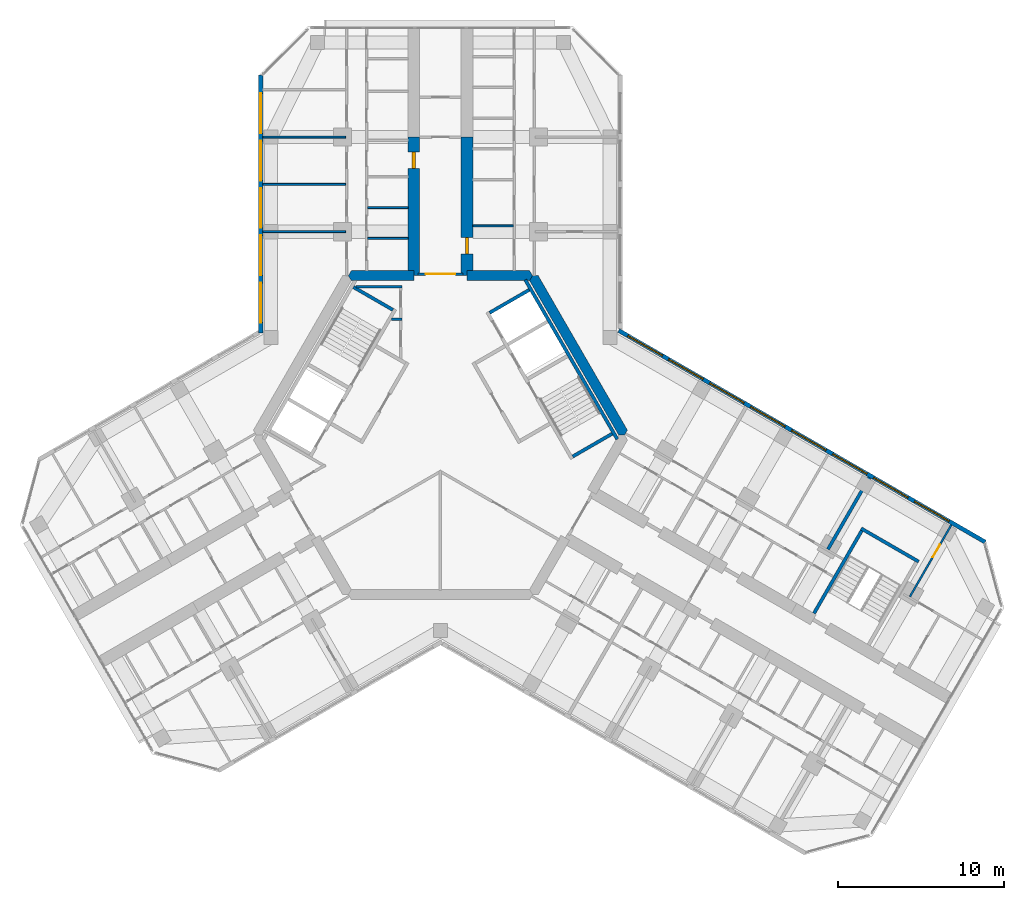
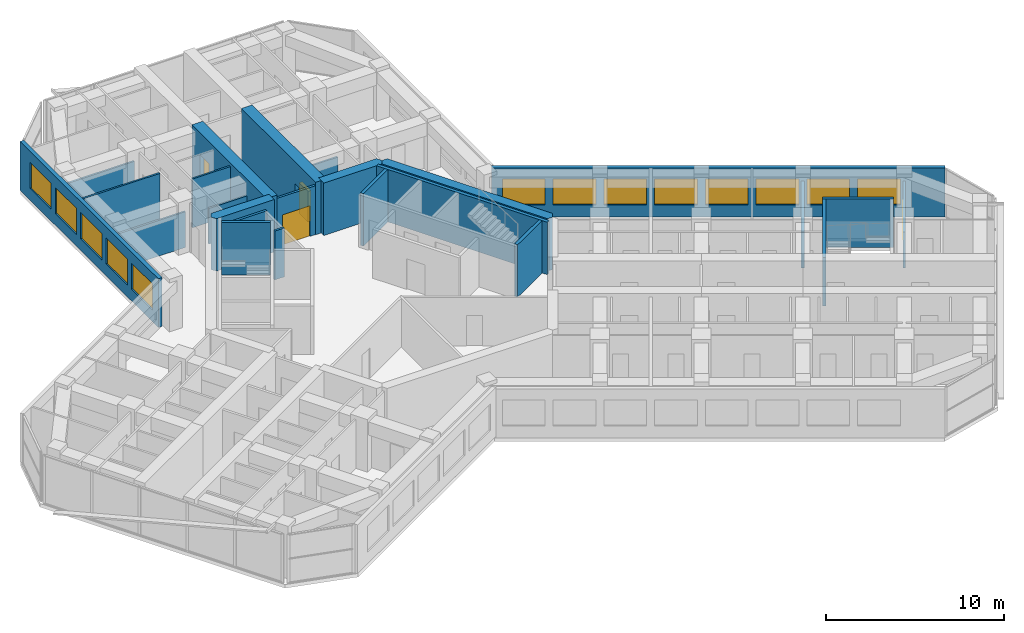
# One storey, part 13 of 16: 24 walls, 13 windows, 4 doors, 17 openings.
"""IFC4 building model written with IfcOpenShell, lengths in metres."""

from ifc_helpers import new_model, si_unit, direction, frame, frame_2d, origin, place, context, subcontext, project, spatial, polyline, rectangle, outline, extrude, material, layer, layer_set, type_object, element, fill, save


model = new_model("IFC4")

# Units and contexts
model_context = context("Model", 3, precision=1e-05, world=origin(), true_north=direction((0.0, 1.0)))
body_context = subcontext(model_context, "Body", "Model", "MODEL_VIEW")
ifc_project = project(units=[si_unit("LENGTHUNIT", "METRE"), si_unit("AREAUNIT", "SQUARE_METRE"), si_unit("VOLUMEUNIT", "CUBIC_METRE"), si_unit("PLANEANGLEUNIT", "RADIAN"), si_unit("MASSUNIT", "GRAM", prefix="KILO")], contexts=[model_context])

# Site, building, storey
site_placement = place(None, origin())
site = spatial("IfcSite", under=ifc_project, at=site_placement, CompositionType="ELEMENT")
building_placement = place(site_placement, origin())
building = spatial("IfcBuilding", under=site, at=building_placement, Name="Kosmar Iwan School Tower", CompositionType="ELEMENT")
storey_placement = place(building_placement, frame((0.0, 0.0, 246.0)))
storey = spatial("IfcBuildingStorey", under=building, at=storey_placement, Name="L62", CompositionType="ELEMENT", Elevation=246.0)

# Walls
ifc_material_1 = material(Name="Gypsum board on steel studs, fire-rated", Category="steel")
ifc_layer_1 = layer(ifc_material_1, 0.14990234375)
ifc_layer_set_1 = layer_set([ifc_layer_1], Name="Core room partition 150")
wall_type_1 = type_object("IfcWallType", Name="Core room partition 150", PredefinedType="PARTITIONING", material=ifc_layer_set_1)
wall_1_placement = place(storey_placement, frame((-2.324951171875, 6.985107421875, 0.0), z_axis=(0.0, 0.0, 1.0), x_axis=(-1.0, 0.0, 0.0)))
element("IfcWall", 1, at=wall_1_placement, inside=storey, type_object=wall_type_1, Name="Core room partition L62-CW2", PredefinedType="PARTITIONING", context=body_context, shape_type="SweptSolid", body=[
    extrude(rectangle(XDim=0.623779296875, YDim=0.14990234375, at=frame_2d((0.31201171875, 0.0))), origin(), (0.0, 0.0, 1.0), 3.35009765625),
])
wall_2_placement = place(storey_placement, frame((-5.089599609375, 8.93994140625, 0.0), z_axis=(0.0, 0.0, 1.0), x_axis=(1.0, 0.0, 0.0)))
element("IfcWall", 2, at=wall_2_placement, inside=storey, type_object=wall_type_1, Name="Core room partition L62-CW3", PredefinedType="PARTITIONING", context=body_context, shape_type="SweptSolid", body=[
    extrude(rectangle(XDim=2.7646484375, YDim=0.14990234375, at=frame_2d((1.38232421875, 0.0))), origin(), (0.0, 0.0, 1.0), 3.35009765625),
])
ifc_material_2 = material(Name="Concrete C50/60", Category="concrete")
ifc_layer_2 = layer(ifc_material_2, 0.60009765625)
ifc_layer_set_2 = layer_set([ifc_layer_2], Name="Core wall 600")
wall_type_2 = type_object("IfcWallType", Name="Core wall 600", PredefinedType="SHEAR", material=ifc_layer_set_2)
wall_3_placement = place(storey_placement, origin())
element("IfcWall", 3, at=wall_3_placement, inside=storey, type_object=wall_type_2, Name="Core wall F030", PredefinedType="SHEAR", context=body_context, shape_type="SweptSolid", body=[
    extrude(outline(polyline([(10.73876953125, 0.0), (11.085205078125, 0.0), (11.25830078125, 0.300048828125), (5.888916015625, 9.60009765625), (5.54248046875, 9.60009765625), (5.369384765625, 9.300048828125), (10.73876953125, 0.0)])), origin(), (0.0, 0.0, 1.0), 3.60009765625),
])
wall_4_placement = place(storey_placement, origin())
element("IfcWall", 4, at=wall_4_placement, inside=storey, type_object=wall_type_2, Name="Core wall F090a", PredefinedType="SHEAR", context=body_context, shape_type="SweptSolid", body=[
    extrude(outline(polyline([(1.60009765625, 9.300048828125), (5.369384765625, 9.300048828125), (5.54248046875, 9.60009765625), (5.369384765625, 9.89990234375), (1.60009765625, 9.89990234375), (1.60009765625, 9.300048828125)])), origin(), (0.0, 0.0, 1.0), 3.60009765625),
])
wall_5_placement = place(storey_placement, origin())
element("IfcWall", 5, at=wall_5_placement, inside=storey, type_object=wall_type_2, Name="Core wall F090b", PredefinedType="SHEAR", context=body_context, shape_type="SweptSolid", body=[
    extrude(outline(polyline([(-5.369384765625, 9.300048828125), (-1.60009765625, 9.300048828125), (-1.60009765625, 9.89990234375), (-5.369384765625, 9.89990234375), (-5.54248046875, 9.60009765625), (-5.369384765625, 9.300048828125)])), origin(), (0.0, 0.0, 1.0), 3.60009765625),
])

# Wall, opening, door
ifc_material_3 = material(Name="Concrete C50/60", Category="concrete")
ifc_layer_3 = layer(ifc_material_3, 0.699951171875)
ifc_layer_set_3 = layer_set([ifc_layer_3], Name="Corridor buttress wall 700")
wall_type_3 = type_object("IfcWallType", Name="Corridor buttress wall 700", PredefinedType="SHEAR", material=ifc_layer_set_3)
wall_6_placement = place(storey_placement, frame((-1.60009765625, 9.60009765625, 0.0), z_axis=(0.0, 0.0, 1.0), x_axis=(0.0, 1.0, 0.0)))
wall_6 = element("IfcWall", 6, at=wall_6_placement, inside=storey, type_object=wall_type_3, Name="Corridor wall AL", PredefinedType="SHEAR", context=body_context, shape_type="SweptSolid", body=[
    extrude(rectangle(XDim=8.349853515625, YDim=0.699951171875, at=frame_2d((4.1748046875, 0.0))), origin(), (0.0, 0.0, 1.0), 3.60009765625),
])
opening_1_placement = place(wall_6_placement, frame((6.449951171875, 0.0, 0.0)))
opening_1 = element("IfcOpeningElement", 7, at=opening_1_placement, cuts=wall_6, Name="Opening D1", PredefinedType="OPENING", context=body_context, shape_type="SweptSolid", body=[
    extrude(rectangle(XDim=1.0, YDim=2.10009765625, at=frame_2d((0.5, 1.050048828125))), frame((0.0, 0.362060546875, 0.0), z_axis=(0.0, -1.0, 0.0), x_axis=(1.0, 0.0, 0.0)), (0.0, 0.0, 1.0), 0.723876953125),
])
ifc_material_4 = material(Name="Timber fire door in steel frame", Category="steel")
door_type_1 = type_object("IfcDoorType", Name="Flat entrance door 1000x2100", OperationType="SINGLE_SWING_LEFT", PredefinedType="DOOR", material=ifc_material_4)
door_1_placement = place(opening_1_placement, origin())
door_1 = element("IfcDoor", 8, at=door_1_placement, inside=storey, type_object=door_type_1, Name="Flat L62-AL1 entrance door", OperationType="SINGLE_SWING_LEFT", OverallHeight=2.10009765625, OverallWidth=1.0, PredefinedType="DOOR", context=body_context, shape_type="SweptSolid", body=[
    extrude(rectangle(XDim=1.0, YDim=2.10009765625, at=frame_2d((0.5, 1.050048828125))), frame((0.0, 0.10009765625, 0.0), z_axis=(0.0, -1.0, 0.0), x_axis=(1.0, 0.0, 0.0)), (0.0, 0.0, 1.0), 0.199951171875),
])
fill(opening_1, door_1)

wall_7_placement = place(storey_placement, frame((1.60009765625, 9.60009765625, 0.0), z_axis=(0.0, 0.0, 1.0), x_axis=(0.0, 1.0, 0.0)))
wall_7 = element("IfcWall", 9, at=wall_7_placement, inside=storey, type_object=wall_type_3, Name="Corridor wall AR", PredefinedType="SHEAR", context=body_context, shape_type="SweptSolid", body=[
    extrude(rectangle(XDim=8.349853515625, YDim=0.699951171875, at=frame_2d((4.1748046875, 0.0))), origin(), (0.0, 0.0, 1.0), 3.60009765625),
])
opening_2_placement = place(wall_7_placement, frame((1.300048828125, 0.0, 0.0)))
opening_2 = element("IfcOpeningElement", 10, at=opening_2_placement, cuts=wall_7, Name="Opening D1", PredefinedType="OPENING", context=body_context, shape_type="SweptSolid", body=[
    extrude(rectangle(XDim=1.0, YDim=2.10009765625, at=frame_2d((0.5, 1.050048828125))), frame((0.0, 0.362060546875, 0.0), z_axis=(0.0, -1.0, 0.0), x_axis=(1.0, 0.0, 0.0)), (0.0, 0.0, 1.0), 0.723876953125),
])
door_2_placement = place(opening_2_placement, origin())
door_2 = element("IfcDoor", 11, at=door_2_placement, inside=storey, type_object=door_type_1, Name="Flat L62-AR1 entrance door", OperationType="SINGLE_SWING_LEFT", OverallHeight=2.10009765625, OverallWidth=1.0, PredefinedType="DOOR", context=body_context, shape_type="SweptSolid", body=[
    extrude(rectangle(XDim=1.0, YDim=2.10009765625, at=frame_2d((0.5, 1.050048828125))), frame((0.0, 0.10009765625, 0.0), z_axis=(0.0, -1.0, 0.0), x_axis=(1.0, 0.0, 0.0)), (0.0, 0.0, 1.0), 0.199951171875),
])
fill(opening_2, door_2)

ifc_material_5 = material(Name="Steel framed glazed screen", Category="steel")
ifc_layer_4 = layer(ifc_material_5, 0.14990234375)
ifc_layer_set_4 = layer_set([ifc_layer_4], Name="Corridor screen wall 150")
wall_type_4 = type_object("IfcWallType", Name="Corridor screen wall 150", PredefinedType="PARTITIONING", material=ifc_layer_set_4)
wall_8_placement = place(storey_placement, frame((1.35009765625, 9.699951171875, 0.0), z_axis=(0.0, 0.0, 1.0), x_axis=(-1.0, 0.0, 0.0)))
wall_8 = element("IfcWall", 12, at=wall_8_placement, inside=storey, type_object=wall_type_4, Name="Corridor screen A L62", PredefinedType="PARTITIONING", context=body_context, shape_type="SweptSolid", body=[
    extrude(rectangle(XDim=2.7001953125, YDim=0.14990234375, at=frame_2d((1.35009765625, 0.0))), origin(), (0.0, 0.0, 1.0), 3.35009765625),
])
opening_3_placement = place(wall_8_placement, frame((0.449951171875, 0.0, 0.0)))
opening_3 = element("IfcOpeningElement", 13, at=opening_3_placement, cuts=wall_8, Name="Opening D9", PredefinedType="OPENING", context=body_context, shape_type="SweptSolid", body=[
    extrude(rectangle(XDim=1.800048828125, YDim=2.10009765625, at=frame_2d((0.89990234375, 1.050048828125))), frame((0.0, 0.0869140625, 0.0), z_axis=(0.0, -1.0, 0.0), x_axis=(1.0, 0.0, 0.0)), (0.0, 0.0, 1.0), 0.173828125),
])
ifc_material_6 = material(Name="Steel framed glazed smoke door", Category="steel")
door_type_2 = type_object("IfcDoorType", Name="Corridor smoke door pair 1800x2100", OperationType="DOUBLE_DOOR_DOUBLE_SWING", PredefinedType="DOOR", material=ifc_material_6)
door_3_placement = place(opening_3_placement, origin())
door_3 = element("IfcDoor", 14, at=door_3_placement, inside=storey, type_object=door_type_2, Name="Corridor doors A L62", OperationType="DOUBLE_DOOR_DOUBLE_SWING", OverallHeight=2.10009765625, OverallWidth=1.800048828125, PredefinedType="DOOR", context=body_context, shape_type="SweptSolid", body=[
    extrude(rectangle(XDim=1.800048828125, YDim=2.10009765625, at=frame_2d((0.89990234375, 1.050048828125))), frame((0.0, 0.02490234375, 0.0), z_axis=(0.0, -1.0, 0.0), x_axis=(1.0, 0.0, 0.0)), (0.0, 0.0, 1.0), 0.050048828125),
])
fill(opening_3, door_3)

# Walls
ifc_material_7 = material(Name="Gypsum board on steel studs", Category="steel")
ifc_layer_5 = layer(ifc_material_7, 0.1201171875)
ifc_layer_set_5 = layer_set([ifc_layer_5], Name="Dwelling partition 120")
wall_type_5 = type_object("IfcWallType", Name="Dwelling partition 120", PredefinedType="PARTITIONING", material=ifc_layer_set_5)
wall_9_placement = place(storey_placement, frame((-5.7099609375, 12.25, 0.0), z_axis=(0.0, 0.0, 1.0), x_axis=(-1.0, 0.0, 0.0)))
element("IfcWall", 15, at=wall_9_placement, inside=storey, type_object=wall_type_5, Name="Partition L62-AL1-X1", PredefinedType="PARTITIONING", context=body_context, shape_type="SweptSolid", body=[
    extrude(rectangle(XDim=4.989990234375, YDim=0.1201171875, at=frame_2d((2.4951171875, 0.0))), origin(), (0.0, 0.0, 1.0), 2.449951171875),
])
wall_10_placement = place(storey_placement, frame((-5.7099609375, 15.10009765625, 0.0), z_axis=(0.0, 0.0, 1.0), x_axis=(-1.0, 0.0, 0.0)))
element("IfcWall", 16, at=wall_10_placement, inside=storey, type_object=wall_type_5, Name="Partition L62-AL1-X2", PredefinedType="PARTITIONING", context=body_context, shape_type="SweptSolid", body=[
    extrude(rectangle(XDim=4.989990234375, YDim=0.1201171875, at=frame_2d((2.4951171875, 0.0))), origin(), (0.0, 0.0, 1.0), 3.35009765625),
])
wall_11_placement = place(storey_placement, frame((-5.7099609375, 17.949951171875, 0.0), z_axis=(0.0, 0.0, 1.0), x_axis=(-1.0, 0.0, 0.0)))
element("IfcWall", 17, at=wall_11_placement, inside=storey, type_object=wall_type_5, Name="Partition L62-AL1-X3", PredefinedType="PARTITIONING", context=body_context, shape_type="SweptSolid", body=[
    extrude(rectangle(XDim=4.989990234375, YDim=0.1201171875, at=frame_2d((2.4951171875, 0.0))), origin(), (0.0, 0.0, 1.0), 2.449951171875),
])
wall_12_placement = place(storey_placement, frame((-1.949951171875, 11.85009765625, 0.0), z_axis=(0.0, 0.0, 1.0), x_axis=(-1.0, 0.0, 0.0)))
element("IfcWall", 18, at=wall_12_placement, inside=storey, type_object=wall_type_5, Name="Partition L62-AL1-Y1", PredefinedType="PARTITIONING", context=body_context, shape_type="SweptSolid", body=[
    extrude(rectangle(XDim=2.43994140625, YDim=0.1201171875, at=frame_2d((1.219970703125, 0.0))), origin(), (0.0, 0.0, 1.0), 2.449951171875),
])
wall_13_placement = place(storey_placement, frame((-1.949951171875, 13.699951171875, 0.0), z_axis=(0.0, 0.0, 1.0), x_axis=(-1.0, 0.0, 0.0)))
element("IfcWall", 19, at=wall_13_placement, inside=storey, type_object=wall_type_5, Name="Partition L62-AL1-Y2", PredefinedType="PARTITIONING", context=body_context, shape_type="SweptSolid", body=[
    extrude(rectangle(XDim=2.43994140625, YDim=0.1201171875, at=frame_2d((1.219970703125, 0.0))), origin(), (0.0, 0.0, 1.0), 3.35009765625),
])
wall_14_placement = place(storey_placement, frame((1.949951171875, 12.60009765625, 0.0), z_axis=(0.0, 0.0, 1.0), x_axis=(1.0, 0.0, 0.0)))
element("IfcWall", 20, at=wall_14_placement, inside=storey, type_object=wall_type_5, Name="Partition L62-AR1-Y1", PredefinedType="PARTITIONING", context=body_context, shape_type="SweptSolid", body=[
    extrude(rectangle(XDim=2.43994140625, YDim=0.1201171875, at=frame_2d((1.219970703125, 0.0))), origin(), (0.0, 0.0, 1.0), 2.449951171875),
])

# Wall, opening, door
wall_15_placement = place(storey_placement, frame((28.27294921875, -9.72998046875, 0.0), z_axis=(0.0, 0.0, 1.0), x_axis=(0.499975153383, 0.86603974851, 0.0)))
wall_15 = element("IfcWall", 21, at=wall_15_placement, inside=storey, type_object=wall_type_5, Name="Partition L62-CL3-TX", PredefinedType="PARTITIONING", context=body_context, shape_type="SweptSolid", body=[
    extrude(rectangle(XDim=4.989990234375, YDim=0.1201171875, at=frame_2d((2.4951171875, 0.0))), origin(), (0.0, 0.0, 1.0), 2.449951171875),
])
opening_4_placement = place(wall_15_placement, frame((2.739990234375, 0.0, 0.0)))
opening_4 = element("IfcOpeningElement", 22, at=opening_4_placement, cuts=wall_15, Name="Opening D2", PredefinedType="OPENING", context=body_context, shape_type="SweptSolid", body=[
    extrude(rectangle(XDim=0.89990234375, YDim=2.10009765625, at=frame_2d((0.449951171875, 1.050048828125))), frame((0.0, 0.072021484375, 0.0), z_axis=(0.0, -1.0, 0.0), x_axis=(1.0, 0.0, 0.0)), (0.0, 0.0, 1.0), 0.14404296875),
])
ifc_material_8 = material(Name="Timber door in timber frame", Category="wood")
door_type_3 = type_object("IfcDoorType", Name="Internal door 900x2100", OperationType="SINGLE_SWING_LEFT", PredefinedType="DOOR", material=ifc_material_8)
door_4_placement = place(opening_4_placement, origin())
door_4 = element("IfcDoor", 23, at=door_4_placement, inside=storey, type_object=door_type_3, Name="Bedroom 1 door L62-CL3-T1", OperationType="SINGLE_SWING_RIGHT", OverallHeight=2.10009765625, OverallWidth=0.89990234375, PredefinedType="DOOR", context=body_context, shape_type="SweptSolid", body=[
    extrude(rectangle(XDim=0.89990234375, YDim=2.10009765625, at=frame_2d((0.449951171875, 1.050048828125))), frame((0.0, 0.02490234375, 0.0), z_axis=(0.0, -1.0, 0.0), x_axis=(1.0, 0.0, 0.0)), (0.0, 0.0, 1.0), 0.050048828125),
])
fill(opening_4, door_4)

# Walls
ifc_material_9 = material(Name="Concrete C35/45", Category="concrete")
ifc_layer_6 = layer(ifc_material_9, 0.199951171875)
ifc_layer_set_6 = layer_set([ifc_layer_6], Name="Escape stair wall 200")
wall_type_6 = type_object("IfcWallType", Name="Escape stair wall 200", PredefinedType="SHEAR", material=ifc_layer_set_6)
wall_16_placement = place(storey_placement, frame((22.49560546875, -10.736328125, 0.0), z_axis=(0.0, 0.0, 1.0), x_axis=(0.500013701029, 0.866017493347, 0.0)))
element("IfcWall", 24, at=wall_16_placement, inside=storey, type_object=wall_type_6, Name="Stair WS3 wall", PredefinedType="SHEAR", context=body_context, shape_type="SweptSolid", body=[
    extrude(rectangle(XDim=5.949951171875, YDim=0.199951171875, at=frame_2d((2.97509765625, 0.0))), origin(), (0.0, 0.0, 1.0), 3.330078125),
])
wall_17_placement = place(storey_placement, frame((25.334228515625, -5.6201171875, 0.0), z_axis=(0.0, 0.0, 1.0), x_axis=(0.866026010844, -0.49999894854, 0.0)))
element("IfcWall", 25, at=wall_17_placement, inside=storey, type_object=wall_type_6, Name="Stair WS3 wall", PredefinedType="SHEAR", context=body_context, shape_type="SweptSolid", body=[
    extrude(rectangle(XDim=4.0, YDim=0.199951171875, at=frame_2d((2.0, 0.0))), origin(), (0.0, 0.0, 1.0), 3.330078125),
])

# Wall, openings, windows
ifc_material_10 = material(Name="Black aluminium rainscreen on insulated framing", Category="aluminium")
ifc_layer_7 = layer(ifc_material_10, 0.25)
ifc_layer_set_7 = layer_set([ifc_layer_7], Name="External wall rainscreen 250")
wall_type_7 = type_object("IfcWallType", Name="External wall rainscreen 250", PredefinedType="SOLIDWALL", material=ifc_layer_set_7)
wall_18_placement = place(storey_placement, frame((10.73681640625, 6.30078125, 0.0), z_axis=(0.0, 0.0, 1.0), x_axis=(0.866026390279, -0.499998291337, 0.0)))
wall_18 = element("IfcWall", 26, at=wall_18_placement, inside=storey, type_object=wall_type_7, Name="External wall CL L62", PredefinedType="SOLIDWALL", context=body_context, shape_type="SweptSolid", body=[
    extrude(rectangle(XDim=25.4873046875, YDim=0.25, at=frame_2d((12.74365234375, 0.0))), origin(), (0.0, 0.0, 1.0), 3.35009765625),
])
opening_5_placement = place(wall_18_placement, frame((0.626953125, 0.0, 0.800048828125)))
opening_5 = element("IfcOpeningElement", 27, at=opening_5_placement, cuts=wall_18, Name="Opening W5", PredefinedType="OPENING", context=body_context, shape_type="SweptSolid", body=[
    extrude(rectangle(XDim=2.39990234375, YDim=1.800048828125, at=frame_2d((1.199951171875, 0.89990234375))), frame((0.0, 0.136962890625, 0.0), z_axis=(0.0, -1.0, 0.0), x_axis=(1.0, 0.0, 0.0)), (0.0, 0.0, 1.0), 0.27392578125),
])
opening_6_placement = place(wall_18_placement, frame((3.47705078125, 0.0, 0.800048828125)))
opening_6 = element("IfcOpeningElement", 28, at=opening_6_placement, cuts=wall_18, Name="Opening W5", PredefinedType="OPENING", context=body_context, shape_type="SweptSolid", body=[
    extrude(rectangle(XDim=2.39990234375, YDim=1.800048828125, at=frame_2d((1.199951171875, 0.89990234375))), frame((0.0, 0.136962890625, 0.0), z_axis=(0.0, -1.0, 0.0), x_axis=(1.0, 0.0, 0.0)), (0.0, 0.0, 1.0), 0.27392578125),
])
opening_7_placement = place(wall_18_placement, frame((6.326904296875, 0.0, 0.800048828125)))
opening_7 = element("IfcOpeningElement", 29, at=opening_7_placement, cuts=wall_18, Name="Opening W5", PredefinedType="OPENING", context=body_context, shape_type="SweptSolid", body=[
    extrude(rectangle(XDim=2.39990234375, YDim=1.800048828125, at=frame_2d((1.199951171875, 0.89990234375))), frame((0.0, 0.136962890625, 0.0), z_axis=(0.0, -1.0, 0.0), x_axis=(1.0, 0.0, 0.0)), (0.0, 0.0, 1.0), 0.27392578125),
])
opening_8_placement = place(wall_18_placement, frame((9.177001953125, 0.0, 0.800048828125)))
opening_8 = element("IfcOpeningElement", 30, at=opening_8_placement, cuts=wall_18, Name="Opening W5", PredefinedType="OPENING", context=body_context, shape_type="SweptSolid", body=[
    extrude(rectangle(XDim=2.39990234375, YDim=1.800048828125, at=frame_2d((1.199951171875, 0.89990234375))), frame((0.0, 0.136962890625, 0.0), z_axis=(0.0, -1.0, 0.0), x_axis=(1.0, 0.0, 0.0)), (0.0, 0.0, 1.0), 0.27392578125),
])
opening_9_placement = place(wall_18_placement, frame((12.027099609375, 0.0, 0.800048828125)))
opening_9 = element("IfcOpeningElement", 31, at=opening_9_placement, cuts=wall_18, Name="Opening W5", PredefinedType="OPENING", context=body_context, shape_type="SweptSolid", body=[
    extrude(rectangle(XDim=2.39990234375, YDim=1.800048828125, at=frame_2d((1.199951171875, 0.89990234375))), frame((0.0, 0.136962890625, 0.0), z_axis=(0.0, -1.0, 0.0), x_axis=(1.0, 0.0, 0.0)), (0.0, 0.0, 1.0), 0.27392578125),
])
opening_10_placement = place(wall_18_placement, frame((14.876953125, 0.0, 0.800048828125)))
opening_10 = element("IfcOpeningElement", 32, at=opening_10_placement, cuts=wall_18, Name="Opening W5", PredefinedType="OPENING", context=body_context, shape_type="SweptSolid", body=[
    extrude(rectangle(XDim=2.39990234375, YDim=1.800048828125, at=frame_2d((1.199951171875, 0.89990234375))), frame((0.0, 0.136962890625, 0.0), z_axis=(0.0, -1.0, 0.0), x_axis=(1.0, 0.0, 0.0)), (0.0, 0.0, 1.0), 0.27392578125),
])
opening_11_placement = place(wall_18_placement, frame((17.72705078125, 0.0, 0.800048828125)))
opening_11 = element("IfcOpeningElement", 33, at=opening_11_placement, cuts=wall_18, Name="Opening W5", PredefinedType="OPENING", context=body_context, shape_type="SweptSolid", body=[
    extrude(rectangle(XDim=2.39990234375, YDim=1.800048828125, at=frame_2d((1.199951171875, 0.89990234375))), frame((0.0, 0.136962890625, 0.0), z_axis=(0.0, -1.0, 0.0), x_axis=(1.0, 0.0, 0.0)), (0.0, 0.0, 1.0), 0.27392578125),
])
opening_12_placement = place(wall_18_placement, frame((20.576904296875, 0.0, 0.800048828125)))
opening_12 = element("IfcOpeningElement", 34, at=opening_12_placement, cuts=wall_18, Name="Opening W5", PredefinedType="OPENING", context=body_context, shape_type="SweptSolid", body=[
    extrude(rectangle(XDim=2.39990234375, YDim=1.800048828125, at=frame_2d((1.199951171875, 0.89990234375))), frame((0.0, 0.136962890625, 0.0), z_axis=(0.0, -1.0, 0.0), x_axis=(1.0, 0.0, 0.0)), (0.0, 0.0, 1.0), 0.27392578125),
])
ifc_material_11 = material(Name="Black aluminium frame with dark triple glazing", Category="aluminium")
window_type = type_object("IfcWindowType", Name="Window 2400x1800", PartitioningType="SINGLE_PANEL", PredefinedType="WINDOW", material=ifc_material_11)
window_1_placement = place(opening_5_placement, origin())
window_1 = element("IfcWindow", 35, at=window_1_placement, inside=storey, type_object=window_type, Name="Window CL L62 -1", OverallHeight=1.800048828125, OverallWidth=2.39990234375, PartitioningType="SINGLE_PANEL", PredefinedType="WINDOW", context=body_context, shape_type="SweptSolid", body=[
    extrude(rectangle(XDim=2.39990234375, YDim=1.800048828125, at=frame_2d((1.199951171875, 0.89990234375))), frame((0.0, 0.030029296875, 0.0), z_axis=(0.0, -1.0, 0.0), x_axis=(1.0, 0.0, 0.0)), (0.0, 0.0, 1.0), 0.06005859375),
])
fill(opening_5, window_1)
window_2_placement = place(opening_6_placement, origin())
window_2 = element("IfcWindow", 36, at=window_2_placement, inside=storey, type_object=window_type, Name="Window CL L62 0", OverallHeight=1.800048828125, OverallWidth=2.39990234375, PartitioningType="SINGLE_PANEL", PredefinedType="WINDOW", context=body_context, shape_type="SweptSolid", body=[
    extrude(rectangle(XDim=2.39990234375, YDim=1.800048828125, at=frame_2d((1.199951171875, 0.89990234375))), frame((0.0, 0.030029296875, 0.0), z_axis=(0.0, -1.0, 0.0), x_axis=(1.0, 0.0, 0.0)), (0.0, 0.0, 1.0), 0.06005859375),
])
fill(opening_6, window_2)
window_3_placement = place(opening_7_placement, origin())
window_3 = element("IfcWindow", 37, at=window_3_placement, inside=storey, type_object=window_type, Name="Window CL L62 1", OverallHeight=1.800048828125, OverallWidth=2.39990234375, PartitioningType="SINGLE_PANEL", PredefinedType="WINDOW", context=body_context, shape_type="SweptSolid", body=[
    extrude(rectangle(XDim=2.39990234375, YDim=1.800048828125, at=frame_2d((1.199951171875, 0.89990234375))), frame((0.0, 0.030029296875, 0.0), z_axis=(0.0, -1.0, 0.0), x_axis=(1.0, 0.0, 0.0)), (0.0, 0.0, 1.0), 0.06005859375),
])
fill(opening_7, window_3)
window_4_placement = place(opening_8_placement, origin())
window_4 = element("IfcWindow", 38, at=window_4_placement, inside=storey, type_object=window_type, Name="Window CL L62 2", OverallHeight=1.800048828125, OverallWidth=2.39990234375, PartitioningType="SINGLE_PANEL", PredefinedType="WINDOW", context=body_context, shape_type="SweptSolid", body=[
    extrude(rectangle(XDim=2.39990234375, YDim=1.800048828125, at=frame_2d((1.199951171875, 0.89990234375))), frame((0.0, 0.030029296875, 0.0), z_axis=(0.0, -1.0, 0.0), x_axis=(1.0, 0.0, 0.0)), (0.0, 0.0, 1.0), 0.06005859375),
])
fill(opening_8, window_4)
window_5_placement = place(opening_9_placement, origin())
window_5 = element("IfcWindow", 39, at=window_5_placement, inside=storey, type_object=window_type, Name="Window CL L62 3", OverallHeight=1.800048828125, OverallWidth=2.39990234375, PartitioningType="SINGLE_PANEL", PredefinedType="WINDOW", context=body_context, shape_type="SweptSolid", body=[
    extrude(rectangle(XDim=2.39990234375, YDim=1.800048828125, at=frame_2d((1.199951171875, 0.89990234375))), frame((0.0, 0.030029296875, 0.0), z_axis=(0.0, -1.0, 0.0), x_axis=(1.0, 0.0, 0.0)), (0.0, 0.0, 1.0), 0.06005859375),
])
fill(opening_9, window_5)
window_6_placement = place(opening_10_placement, origin())
window_6 = element("IfcWindow", 40, at=window_6_placement, inside=storey, type_object=window_type, Name="Window CL L62 4", OverallHeight=1.800048828125, OverallWidth=2.39990234375, PartitioningType="SINGLE_PANEL", PredefinedType="WINDOW", context=body_context, shape_type="SweptSolid", body=[
    extrude(rectangle(XDim=2.39990234375, YDim=1.800048828125, at=frame_2d((1.199951171875, 0.89990234375))), frame((0.0, 0.030029296875, 0.0), z_axis=(0.0, -1.0, 0.0), x_axis=(1.0, 0.0, 0.0)), (0.0, 0.0, 1.0), 0.06005859375),
])
fill(opening_10, window_6)
window_7_placement = place(opening_11_placement, origin())
window_7 = element("IfcWindow", 41, at=window_7_placement, inside=storey, type_object=window_type, Name="Window CL L62 5", OverallHeight=1.800048828125, OverallWidth=2.39990234375, PartitioningType="SINGLE_PANEL", PredefinedType="WINDOW", context=body_context, shape_type="SweptSolid", body=[
    extrude(rectangle(XDim=2.39990234375, YDim=1.800048828125, at=frame_2d((1.199951171875, 0.89990234375))), frame((0.0, 0.030029296875, 0.0), z_axis=(0.0, -1.0, 0.0), x_axis=(1.0, 0.0, 0.0)), (0.0, 0.0, 1.0), 0.06005859375),
])
fill(opening_11, window_7)
window_8_placement = place(opening_12_placement, origin())
window_8 = element("IfcWindow", 42, at=window_8_placement, inside=storey, type_object=window_type, Name="Window CL L62 6", OverallHeight=1.800048828125, OverallWidth=2.39990234375, PartitioningType="SINGLE_PANEL", PredefinedType="WINDOW", context=body_context, shape_type="SweptSolid", body=[
    extrude(rectangle(XDim=2.39990234375, YDim=1.800048828125, at=frame_2d((1.199951171875, 0.89990234375))), frame((0.0, 0.030029296875, 0.0), z_axis=(0.0, -1.0, 0.0), x_axis=(1.0, 0.0, 0.0)), (0.0, 0.0, 1.0), 0.06005859375),
])
fill(opening_12, window_8)

wall_19_placement = place(storey_placement, frame((-10.824951171875, 6.14794921875, 0.0), z_axis=(0.0, 0.0, 1.0), x_axis=(0.0, 1.0, 0.0)))
wall_19 = element("IfcWall", 43, at=wall_19_placement, inside=storey, type_object=wall_type_7, Name="External wall AL L62", PredefinedType="SOLIDWALL", context=body_context, shape_type="SweptSolid", body=[
    extrude(rectangle(XDim=15.537353515625, YDim=0.25, at=frame_2d((7.7685546875, 0.0))), origin(), (0.0, 0.0, 1.0), 3.35009765625),
])
opening_13_placement = place(wall_19_placement, frame((0.626953125, 0.0, 0.800048828125)))
opening_13 = element("IfcOpeningElement", 44, at=opening_13_placement, cuts=wall_19, Name="Opening W5", PredefinedType="OPENING", context=body_context, shape_type="SweptSolid", body=[
    extrude(rectangle(XDim=2.39990234375, YDim=1.800048828125, at=frame_2d((1.199951171875, 0.89990234375))), frame((0.0, 0.136962890625, 0.0), z_axis=(0.0, -1.0, 0.0), x_axis=(1.0, 0.0, 0.0)), (0.0, 0.0, 1.0), 0.27392578125),
])
opening_14_placement = place(wall_19_placement, frame((3.47705078125, 0.0, 0.800048828125)))
opening_14 = element("IfcOpeningElement", 45, at=opening_14_placement, cuts=wall_19, Name="Opening W5", PredefinedType="OPENING", context=body_context, shape_type="SweptSolid", body=[
    extrude(rectangle(XDim=2.39990234375, YDim=1.800048828125, at=frame_2d((1.199951171875, 0.89990234375))), frame((0.0, 0.136962890625, 0.0), z_axis=(0.0, -1.0, 0.0), x_axis=(1.0, 0.0, 0.0)), (0.0, 0.0, 1.0), 0.27392578125),
])
opening_15_placement = place(wall_19_placement, frame((6.326904296875, 0.0, 0.800048828125)))
opening_15 = element("IfcOpeningElement", 46, at=opening_15_placement, cuts=wall_19, Name="Opening W5", PredefinedType="OPENING", context=body_context, shape_type="SweptSolid", body=[
    extrude(rectangle(XDim=2.39990234375, YDim=1.800048828125, at=frame_2d((1.199951171875, 0.89990234375))), frame((0.0, 0.136962890625, 0.0), z_axis=(0.0, -1.0, 0.0), x_axis=(1.0, 0.0, 0.0)), (0.0, 0.0, 1.0), 0.27392578125),
])
opening_16_placement = place(wall_19_placement, frame((9.177001953125, 0.0, 0.800048828125)))
opening_16 = element("IfcOpeningElement", 47, at=opening_16_placement, cuts=wall_19, Name="Opening W5", PredefinedType="OPENING", context=body_context, shape_type="SweptSolid", body=[
    extrude(rectangle(XDim=2.39990234375, YDim=1.800048828125, at=frame_2d((1.199951171875, 0.89990234375))), frame((0.0, 0.136962890625, 0.0), z_axis=(0.0, -1.0, 0.0), x_axis=(1.0, 0.0, 0.0)), (0.0, 0.0, 1.0), 0.27392578125),
])
opening_17_placement = place(wall_19_placement, frame((12.027099609375, 0.0, 0.800048828125)))
opening_17 = element("IfcOpeningElement", 48, at=opening_17_placement, cuts=wall_19, Name="Opening W5", PredefinedType="OPENING", context=body_context, shape_type="SweptSolid", body=[
    extrude(rectangle(XDim=2.39990234375, YDim=1.800048828125, at=frame_2d((1.199951171875, 0.89990234375))), frame((0.0, 0.136962890625, 0.0), z_axis=(0.0, -1.0, 0.0), x_axis=(1.0, 0.0, 0.0)), (0.0, 0.0, 1.0), 0.27392578125),
])
window_9_placement = place(opening_13_placement, origin())
window_9 = element("IfcWindow", 49, at=window_9_placement, inside=storey, type_object=window_type, Name="Window AL L62 -1", OverallHeight=1.800048828125, OverallWidth=2.39990234375, PartitioningType="SINGLE_PANEL", PredefinedType="WINDOW", context=body_context, shape_type="SweptSolid", body=[
    extrude(rectangle(XDim=2.39990234375, YDim=1.800048828125, at=frame_2d((1.199951171875, 0.89990234375))), frame((0.0, 0.030029296875, 0.0), z_axis=(0.0, -1.0, 0.0), x_axis=(1.0, 0.0, 0.0)), (0.0, 0.0, 1.0), 0.06005859375),
])
fill(opening_13, window_9)
window_10_placement = place(opening_14_placement, origin())
window_10 = element("IfcWindow", 50, at=window_10_placement, inside=storey, type_object=window_type, Name="Window AL L62 0", OverallHeight=1.800048828125, OverallWidth=2.39990234375, PartitioningType="SINGLE_PANEL", PredefinedType="WINDOW", context=body_context, shape_type="SweptSolid", body=[
    extrude(rectangle(XDim=2.39990234375, YDim=1.800048828125, at=frame_2d((1.199951171875, 0.89990234375))), frame((0.0, 0.030029296875, 0.0), z_axis=(0.0, -1.0, 0.0), x_axis=(1.0, 0.0, 0.0)), (0.0, 0.0, 1.0), 0.06005859375),
])
fill(opening_14, window_10)
window_11_placement = place(opening_15_placement, origin())
window_11 = element("IfcWindow", 51, at=window_11_placement, inside=storey, type_object=window_type, Name="Window AL L62 1", OverallHeight=1.800048828125, OverallWidth=2.39990234375, PartitioningType="SINGLE_PANEL", PredefinedType="WINDOW", context=body_context, shape_type="SweptSolid", body=[
    extrude(rectangle(XDim=2.39990234375, YDim=1.800048828125, at=frame_2d((1.199951171875, 0.89990234375))), frame((0.0, 0.030029296875, 0.0), z_axis=(0.0, -1.0, 0.0), x_axis=(1.0, 0.0, 0.0)), (0.0, 0.0, 1.0), 0.06005859375),
])
fill(opening_15, window_11)
window_12_placement = place(opening_16_placement, origin())
window_12 = element("IfcWindow", 52, at=window_12_placement, inside=storey, type_object=window_type, Name="Window AL L62 2", OverallHeight=1.800048828125, OverallWidth=2.39990234375, PartitioningType="SINGLE_PANEL", PredefinedType="WINDOW", context=body_context, shape_type="SweptSolid", body=[
    extrude(rectangle(XDim=2.39990234375, YDim=1.800048828125, at=frame_2d((1.199951171875, 0.89990234375))), frame((0.0, 0.030029296875, 0.0), z_axis=(0.0, -1.0, 0.0), x_axis=(1.0, 0.0, 0.0)), (0.0, 0.0, 1.0), 0.06005859375),
])
fill(opening_16, window_12)
window_13_placement = place(opening_17_placement, origin())
window_13 = element("IfcWindow", 53, at=window_13_placement, inside=storey, type_object=window_type, Name="Window AL L62 3", OverallHeight=1.800048828125, OverallWidth=2.39990234375, PartitioningType="SINGLE_PANEL", PredefinedType="WINDOW", context=body_context, shape_type="SweptSolid", body=[
    extrude(rectangle(XDim=2.39990234375, YDim=1.800048828125, at=frame_2d((1.199951171875, 0.89990234375))), frame((0.0, 0.030029296875, 0.0), z_axis=(0.0, -1.0, 0.0), x_axis=(1.0, 0.0, 0.0)), (0.0, 0.0, 1.0), 0.06005859375),
])
fill(opening_17, window_13)

# Walls
ifc_material_12 = material(Name="Concrete C50/60", Category="concrete")
ifc_layer_8 = layer(ifc_material_12, 0.199951171875)
ifc_layer_set_8 = layer_set([ifc_layer_8], Name="Lift shaft wall 200")
wall_type_8 = type_object("IfcWallType", Name="Lift shaft wall 200", PredefinedType="SHEAR", material=ifc_layer_set_8)
wall_20_placement = place(storey_placement, frame((10.652099609375, -0.25, 0.0), z_axis=(0.0, 0.0, 1.0), x_axis=(-0.499990629522, 0.866030813765, 0.0)))
element("IfcWall", 54, at=wall_20_placement, inside=storey, type_object=wall_type_8, Name="Lift and stair back wall AC", PredefinedType="SHEAR", context=body_context, shape_type="SweptSolid", body=[
    extrude(rectangle(XDim=11.085205078125, YDim=0.199951171875, at=frame_2d((5.54248046875, 0.0))), origin(), (0.0, 0.0, 1.0), 3.60009765625),
])
wall_21_placement = place(storey_placement, frame((2.962646484375, 7.368408203125, 0.0), z_axis=(0.0, 0.0, 1.0), x_axis=(0.866027397988, 0.499996545922, 0.0)))
element("IfcWall", 55, at=wall_21_placement, inside=storey, type_object=wall_type_8, Name="Lift shaft wall AC 2", PredefinedType="SHEAR", context=body_context, shape_type="SweptSolid", body=[
    extrude(rectangle(XDim=2.75, YDim=0.199951171875, at=frame_2d((1.375, 0.0))), origin(), (0.0, 0.0, 1.0), 3.60009765625),
])
ifc_material_13 = material(Name="Concrete block masonry", Category="masonry")
ifc_layer_9 = layer(ifc_material_13, 0.199951171875)
ifc_layer_set_9 = layer_set([ifc_layer_9], Name="Party wall 200")
wall_type_9 = type_object("IfcWallType", Name="Party wall 200", PredefinedType="PARTITIONING", material=ifc_layer_set_9)
wall_22_placement = place(storey_placement, frame((23.33642578125, -6.8798828125, 0.0), z_axis=(0.0, 0.0, 1.0), x_axis=(0.500033033937, 0.866006330792, 0.0)))
element("IfcWall", 56, at=wall_22_placement, inside=storey, type_object=wall_type_9, Name="Partition L62-CL3-TB", PredefinedType="PARTITIONING", context=body_context, shape_type="SweptSolid", body=[
    extrude(rectangle(XDim=4.989990234375, YDim=0.199951171875, at=frame_2d((2.4951171875, 0.0))), origin(), (0.0, 0.0, 1.0), 2.449951171875),
])
ifc_material_14 = material(Name="Concrete C50/60", Category="concrete")
ifc_layer_10 = layer(ifc_material_14, 0.199951171875)
ifc_layer_set_10 = layer_set([ifc_layer_10], Name="Stair enclosure wall 200")
wall_type_10 = type_object("IfcWallType", Name="Stair enclosure wall 200", PredefinedType="SHEAR", material=ifc_layer_set_10)
for number, where, z_axis, x_axis, name in (
    (57, (-2.862548828125, 7.541748046875, 0.0), (0.0, 0.0, 1.0), (-0.866027397988, 0.499996545922, 0.0), "Stair ST2 wall"),
    (58, (7.962646484375, -1.291748046875, 0.0), (0.0, 0.0, 1.0), (0.866027397988, 0.499996545922, 0.0), "Stair ST1 wall"),
):
    element("IfcWall", number, at=place(storey_placement, frame(where, z_axis=z_axis, x_axis=x_axis)), inside=storey, type_object=wall_type_10, Name=name, PredefinedType="SHEAR", context=body_context, shape_type="SweptSolid", body=[
        extrude(rectangle(XDim=2.75, YDim=0.199951171875, at=frame_2d((1.375, 0.0))), origin(), (0.0, 0.0, 1.0), 3.60009765625),
    ])

save(model, "model.ifc")
